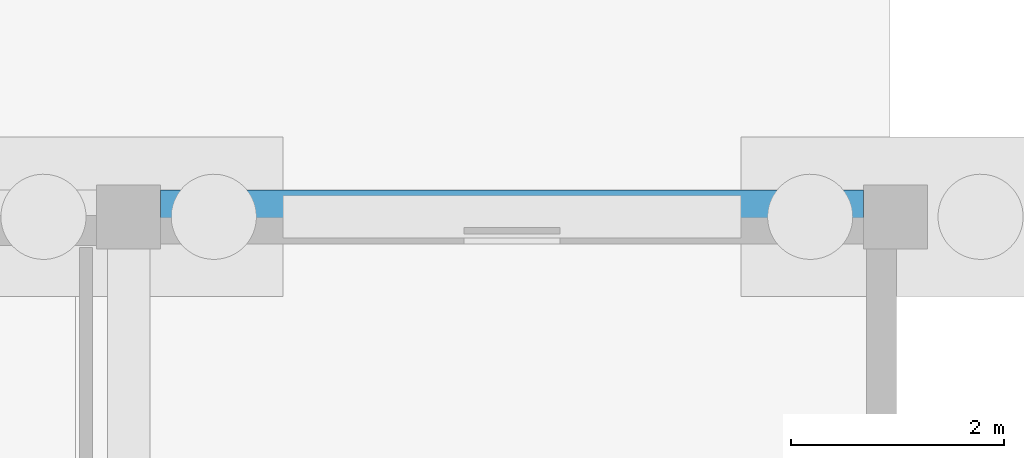
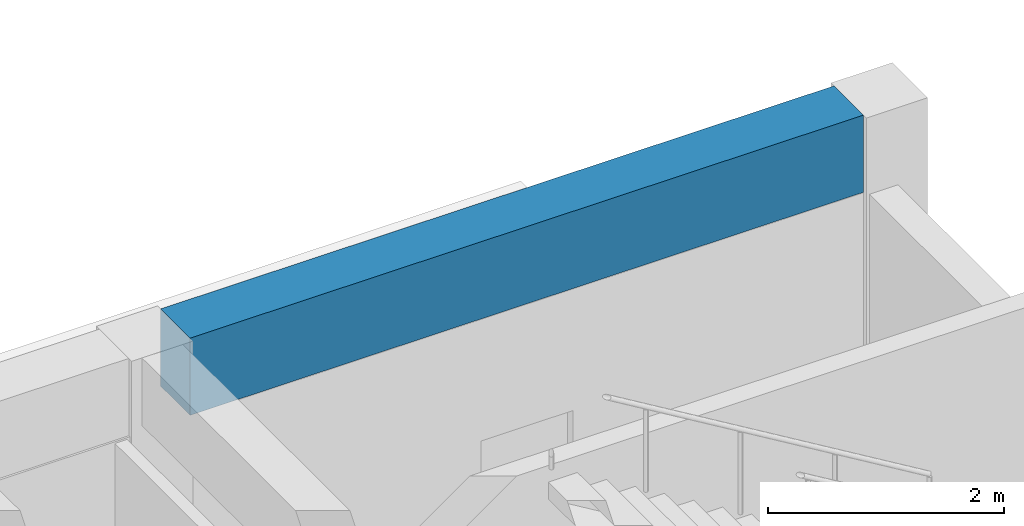
# One storey, part 108 of 155: 1 beam.
"""IFC4 building model written with IfcOpenShell, lengths in metres."""

from ifc_helpers import new_model, si_unit, direction, frame, origin, origin_2d, place, context, subcontext, project, spatial, rectangle, extrude, material, material_profile, profile_set, type_object, element, save


model = new_model("IFC4")

# Units and contexts
model_context = context("Model", 3, precision=1e-05, world=origin(), true_north=direction((0.0, 1.0)))
body_context = subcontext(model_context, "Body", "Model", "MODEL_VIEW")
ifc_project = project(units=[si_unit("LENGTHUNIT", "METRE"), si_unit("AREAUNIT", "SQUARE_METRE"), si_unit("VOLUMEUNIT", "CUBIC_METRE"), si_unit("PLANEANGLEUNIT", "RADIAN"), si_unit("MASSUNIT", "GRAM", prefix="KILO")], contexts=[model_context])

# Site, building, storey
site_placement = place(None, origin())
site = spatial("IfcSite", under=ifc_project, at=site_placement, CompositionType="ELEMENT")
building_placement = place(site_placement, origin())
building = spatial("IfcBuilding", under=site, at=building_placement, Name="Bramvelor Terrace Health Centre", CompositionType="ELEMENT")
storey_placement = place(building_placement, origin())
storey = spatial("IfcBuildingStorey", under=building, at=storey_placement, Name="L01", CompositionType="ELEMENT", Elevation=0.0)

# Beam
ifc_material = material(Name="Concrete C40/50", Category="concrete")
ifc_material_profile = material_profile(ifc_material, rectangle(XDim=0.5, YDim=0.800048828125, at=origin_2d()), Name="RC 500x800")
ifc_profile_set = profile_set([ifc_material_profile], Name="Concrete C40/50")
beam_type = type_object("IfcBeamType", Name="BM-RC-G800", PredefinedType="BEAM", material=ifc_profile_set)
beam_placement = place(storey_placement, frame((158.699951171875, 64.800048828125, 4.159912109375), z_axis=(1.0, 0.0, 0.0), x_axis=(0.0, 1.0, 0.0)))
element("IfcBeam", 1, at=beam_placement, inside=storey, type_object=beam_type, Name="L01 Floor Girder", PredefinedType="BEAM", context=body_context, shape_type="SweptSolid", body=[
    extrude(rectangle(XDim=0.5, YDim=0.800048828125, at=origin_2d()), origin(), (0.0, 0.0, 1.0), 6.60009765625),
])

save(model, "model.ifc")
